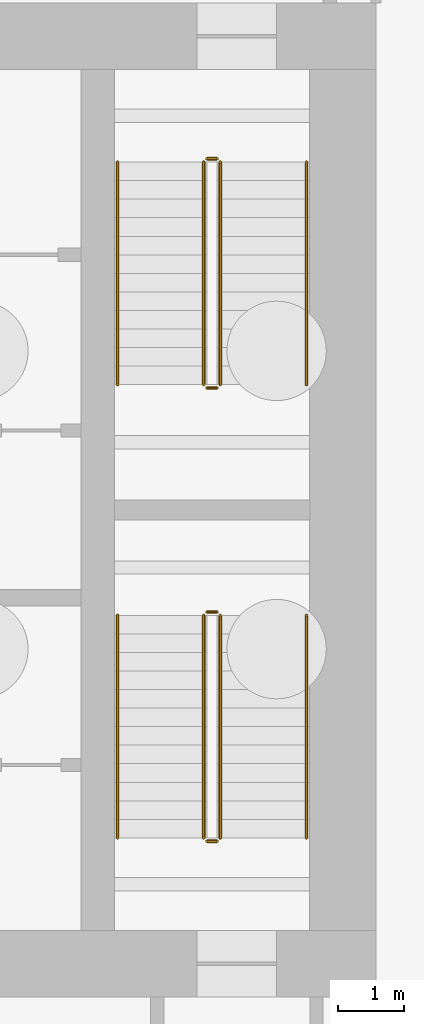
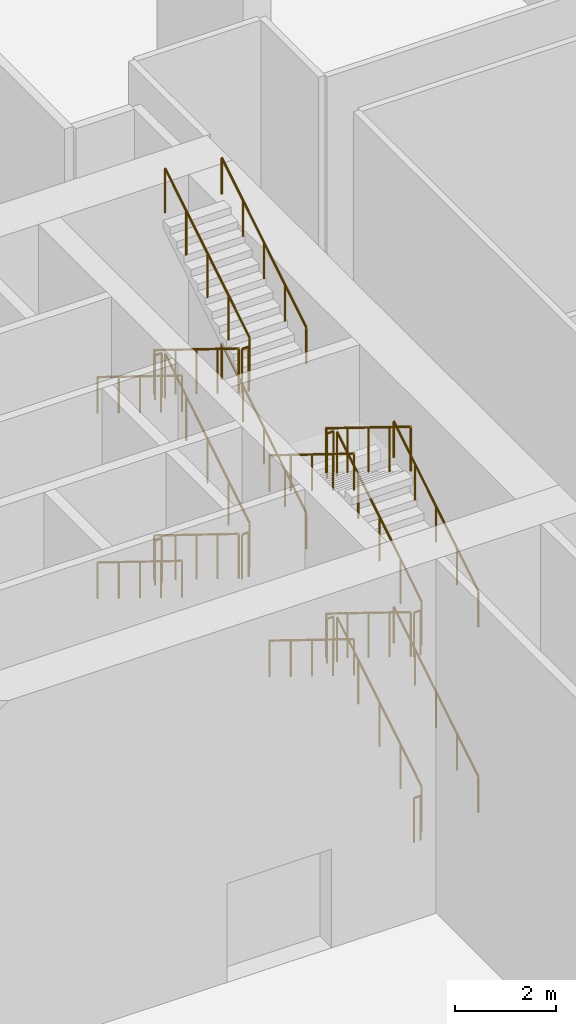
# One storey, part 26 of 32: 24 railings.
"""IFC4 building model written with IfcOpenShell, lengths in metres."""

from ifc_helpers import new_model, si_unit, direction, frame, origin, origin_2d, place, context, subcontext, project, spatial, circle, extrude, material, type_object, element, save


model = new_model("IFC4")

# Units and contexts
model_context = context("Model", 3, precision=1e-05, world=origin(), true_north=direction((0.0, 1.0)))
body_context = subcontext(model_context, "Body", "Model", "MODEL_VIEW")
ifc_project = project(units=[si_unit("LENGTHUNIT", "METRE"), si_unit("AREAUNIT", "SQUARE_METRE"), si_unit("VOLUMEUNIT", "CUBIC_METRE"), si_unit("PLANEANGLEUNIT", "RADIAN"), si_unit("MASSUNIT", "GRAM", prefix="KILO")], contexts=[model_context])

# Site, building, storey
site_placement = place(None, origin())
site = spatial("IfcSite", under=ifc_project, at=site_placement, CompositionType="ELEMENT")
building_placement = place(site_placement, origin())
building = spatial("IfcBuilding", under=site, at=building_placement, Name="Isthmus Gate Tower", CompositionType="ELEMENT")
storey_placement = place(building_placement, origin())
storey = spatial("IfcBuildingStorey", under=building, at=storey_placement, Name="L00", CompositionType="ELEMENT", Elevation=0.0)

# Railings
ifc_material_1 = material(Name="Stainless steel balustrade", Category="steel")
railing_type_1 = type_object("IfcRailingType", Name="STAIR GUARD 1100", PredefinedType="GUARDRAIL", material=ifc_material_1)
railing_1_placement = place(storey_placement, frame((12.39990234375, 12.60009765625, 0.173095703125)))
element("IfcRailing", 1, at=railing_1_placement, inside=storey, type_object=railing_type_1, Name="L00 ST2 stair guard 1", PredefinedType="GUARDRAIL", context=body_context, shape_type="SweptSolid", body=[
    extrude(circle(Radius=0.02392578125, at=origin_2d()), frame((0.0, 0.0, 1.076171875), z_axis=(0.0, -0.850623216509, 0.525775754039), x_axis=(1.0, 0.0, 0.0)), (0.0, 0.0, 1.0), 3.9501953125),
    extrude(circle(Radius=0.02099609375, at=origin_2d()), origin(), (0.0, 0.0, 1.0), 1.052001953125),
    extrude(circle(Radius=0.02099609375, at=origin_2d()), frame((0.0, -0.840087890625, 0.519287109375)), (0.0, 0.0, 1.0), 1.052001953125),
    extrude(circle(Radius=0.02099609375, at=origin_2d()), frame((0.0, -1.68017578125, 1.03857421875)), (0.0, 0.0, 1.0), 1.052001953125),
    extrude(circle(Radius=0.02099609375, at=origin_2d()), frame((0.0, -2.52001953125, 1.5576171875)), (0.0, 0.0, 1.0), 1.052001953125),
    extrude(circle(Radius=0.02099609375, at=origin_2d()), frame((0.0, -3.360107421875, 2.076904296875)), (0.0, 0.0, 1.0), 1.052001953125),
])
railing_2_placement = place(storey_placement, frame((12.449951171875, 9.18994140625, 2.25)))
element("IfcRailing", 2, at=railing_2_placement, inside=storey, type_object=railing_type_1, Name="L00 ST2 stair guard 2", PredefinedType="GUARDRAIL", context=body_context, shape_type="SweptSolid", body=[
    extrude(circle(Radius=0.02392578125, at=origin_2d()), frame((0.0, 0.0, 1.076171875), z_axis=(1.0, 0.0, 0.0), x_axis=(0.0, 1.0, 0.0)), (0.0, 0.0, 1.0), 0.150146484375),
    extrude(circle(Radius=0.02099609375, at=origin_2d()), origin(), (0.0, 0.0, 1.0), 1.052001953125),
    extrude(circle(Radius=0.02099609375, at=origin_2d()), frame((0.150146484375, 0.0, 0.0)), (0.0, 0.0, 1.0), 1.052001953125),
])
railing_3_placement = place(storey_placement, frame((12.64990234375, 9.239990234375, 2.423095703125)))
element("IfcRailing", 3, at=railing_3_placement, inside=storey, type_object=railing_type_1, Name="L00 ST2 stair guard 3", PredefinedType="GUARDRAIL", context=body_context, shape_type="SweptSolid", body=[
    extrude(circle(Radius=0.02392578125, at=origin_2d()), frame((0.0, 0.0, 1.076171875), z_axis=(0.0, 0.850623216509, 0.525775754039), x_axis=(-1.0, 0.0, 0.0)), (0.0, 0.0, 1.0), 3.9501953125),
    extrude(circle(Radius=0.02099609375, at=origin_2d()), origin(), (0.0, 0.0, 1.0), 1.052001953125),
    extrude(circle(Radius=0.02099609375, at=origin_2d()), frame((0.0, 0.840087890625, 0.519287109375)), (0.0, 0.0, 1.0), 1.052001953125),
    extrude(circle(Radius=0.02099609375, at=origin_2d()), frame((0.0, 1.68017578125, 1.03857421875)), (0.0, 0.0, 1.0), 1.052001953125),
    extrude(circle(Radius=0.02099609375, at=origin_2d()), frame((0.0, 2.52001953125, 1.5576171875)), (0.0, 0.0, 1.0), 1.052001953125),
    extrude(circle(Radius=0.02099609375, at=origin_2d()), frame((0.0, 3.360107421875, 2.076904296875)), (0.0, 0.0, 1.0), 1.052001953125),
])
railing_4_placement = place(storey_placement, frame((12.449951171875, 12.64990234375, 4.5)))
element("IfcRailing", 4, at=railing_4_placement, inside=storey, type_object=railing_type_1, Name="L00 ST2 stair guard 4", PredefinedType="GUARDRAIL", context=body_context, shape_type="SweptSolid", body=[
    extrude(circle(Radius=0.02392578125, at=origin_2d()), frame((0.0, 0.0, 1.076171875), z_axis=(1.0, 0.0, 0.0), x_axis=(0.0, 1.0, 0.0)), (0.0, 0.0, 1.0), 0.150146484375),
    extrude(circle(Radius=0.02099609375, at=origin_2d()), origin(), (0.0, 0.0, 1.0), 1.052001953125),
    extrude(circle(Radius=0.02099609375, at=origin_2d()), frame((0.150146484375, 0.0, 0.0)), (0.0, 0.0, 1.0), 1.052001953125),
])
railing_5_placement = place(storey_placement, frame((12.39990234375, 12.60009765625, 4.673095703125)))
element("IfcRailing", 5, at=railing_5_placement, inside=storey, type_object=railing_type_1, Name="L00 ST2 stair guard 5", PredefinedType="GUARDRAIL", context=body_context, shape_type="SweptSolid", body=[
    extrude(circle(Radius=0.02392578125, at=origin_2d()), frame((0.0, 0.0, 1.076171875), z_axis=(0.0, -0.850623216509, 0.525775754039), x_axis=(1.0, 0.0, 0.0)), (0.0, 0.0, 1.0), 3.9501953125),
    extrude(circle(Radius=0.02099609375, at=origin_2d()), origin(), (0.0, 0.0, 1.0), 1.052001953125),
    extrude(circle(Radius=0.02099609375, at=origin_2d()), frame((0.0, -0.840087890625, 0.519287109375)), (0.0, 0.0, 1.0), 1.052001953125),
    extrude(circle(Radius=0.02099609375, at=origin_2d()), frame((0.0, -1.68017578125, 1.03857421875)), (0.0, 0.0, 1.0), 1.052001953125),
    extrude(circle(Radius=0.02099609375, at=origin_2d()), frame((0.0, -2.52001953125, 1.5576171875)), (0.0, 0.0, 1.0), 1.052001953125),
    extrude(circle(Radius=0.02099609375, at=origin_2d()), frame((0.0, -3.360107421875, 2.076904296875)), (0.0, 0.0, 1.0), 1.052001953125),
])
railing_6_placement = place(storey_placement, frame((12.449951171875, 9.18994140625, 6.75)))
element("IfcRailing", 6, at=railing_6_placement, inside=storey, type_object=railing_type_1, Name="L00 ST2 stair guard 6", PredefinedType="GUARDRAIL", context=body_context, shape_type="SweptSolid", body=[
    extrude(circle(Radius=0.02392578125, at=origin_2d()), frame((0.0, 0.0, 1.076171875), z_axis=(1.0, 0.0, 0.0), x_axis=(0.0, 1.0, 0.0)), (0.0, 0.0, 1.0), 0.150146484375),
    extrude(circle(Radius=0.02099609375, at=origin_2d()), origin(), (0.0, 0.0, 1.0), 1.052001953125),
    extrude(circle(Radius=0.02099609375, at=origin_2d()), frame((0.150146484375, 0.0, 0.0)), (0.0, 0.0, 1.0), 1.052001953125),
])
railing_7_placement = place(storey_placement, frame((12.64990234375, 9.239990234375, 6.923095703125)))
element("IfcRailing", 7, at=railing_7_placement, inside=storey, type_object=railing_type_1, Name="L00 ST2 stair guard 7", PredefinedType="GUARDRAIL", context=body_context, shape_type="SweptSolid", body=[
    extrude(circle(Radius=0.02392578125, at=origin_2d()), frame((0.0, 0.0, 1.076171875), z_axis=(0.0, 0.850623216509, 0.525775754039), x_axis=(-1.0, 0.0, 0.0)), (0.0, 0.0, 1.0), 3.9501953125),
    extrude(circle(Radius=0.02099609375, at=origin_2d()), origin(), (0.0, 0.0, 1.0), 1.052001953125),
    extrude(circle(Radius=0.02099609375, at=origin_2d()), frame((0.0, 0.840087890625, 0.519287109375)), (0.0, 0.0, 1.0), 1.052001953125),
    extrude(circle(Radius=0.02099609375, at=origin_2d()), frame((0.0, 1.68017578125, 1.03857421875)), (0.0, 0.0, 1.0), 1.052001953125),
    extrude(circle(Radius=0.02099609375, at=origin_2d()), frame((0.0, 2.52001953125, 1.5576171875)), (0.0, 0.0, 1.0), 1.052001953125),
    extrude(circle(Radius=0.02099609375, at=origin_2d()), frame((0.0, 3.360107421875, 2.076904296875)), (0.0, 0.0, 1.0), 1.052001953125),
])
railing_8_placement = place(storey_placement, frame((12.449951171875, 12.64990234375, 0.0)))
element("IfcRailing", 8, at=railing_8_placement, inside=storey, type_object=railing_type_1, Name="L00 ST2 stair guard 8", PredefinedType="GUARDRAIL", context=body_context, shape_type="SweptSolid", body=[
    extrude(circle(Radius=0.02392578125, at=origin_2d()), frame((0.0, 0.0, 1.076171875), z_axis=(1.0, 0.0, 0.0), x_axis=(0.0, 1.0, 0.0)), (0.0, 0.0, 1.0), 0.150146484375),
    extrude(circle(Radius=0.02099609375, at=origin_2d()), origin(), (0.0, 0.0, 1.0), 1.052001953125),
    extrude(circle(Radius=0.02099609375, at=origin_2d()), frame((0.150146484375, 0.0, 0.0)), (0.0, 0.0, 1.0), 1.052001953125),
])
railing_9_placement = place(storey_placement, frame((12.64990234375, 2.39990234375, 0.173095703125)))
element("IfcRailing", 9, at=railing_9_placement, inside=storey, type_object=railing_type_1, Name="L00 ST8 stair guard 1", PredefinedType="GUARDRAIL", context=body_context, shape_type="SweptSolid", body=[
    extrude(circle(Radius=0.02392578125, at=origin_2d()), frame((0.0, 0.0, 1.076171875), z_axis=(0.0, 0.850623216509, 0.525775754039), x_axis=(-1.0, 0.0, 0.0)), (0.0, 0.0, 1.0), 3.9501953125),
    extrude(circle(Radius=0.02099609375, at=origin_2d()), origin(), (0.0, 0.0, 1.0), 1.052001953125),
    extrude(circle(Radius=0.02099609375, at=origin_2d()), frame((0.0, 0.840087890625, 0.519287109375)), (0.0, 0.0, 1.0), 1.052001953125),
    extrude(circle(Radius=0.02099609375, at=origin_2d()), frame((0.0, 1.68017578125, 1.03857421875)), (0.0, 0.0, 1.0), 1.052001953125),
    extrude(circle(Radius=0.02099609375, at=origin_2d()), frame((0.0, 2.52001953125, 1.5576171875)), (0.0, 0.0, 1.0), 1.052001953125),
    extrude(circle(Radius=0.02099609375, at=origin_2d()), frame((0.0, 3.360107421875, 2.076904296875)), (0.0, 0.0, 1.0), 1.052001953125),
])
railing_10_placement = place(storey_placement, frame((12.60009765625, 5.81005859375, 2.25)))
element("IfcRailing", 10, at=railing_10_placement, inside=storey, type_object=railing_type_1, Name="L00 ST8 stair guard 2", PredefinedType="GUARDRAIL", context=body_context, shape_type="SweptSolid", body=[
    extrude(circle(Radius=0.02392578125, at=origin_2d()), frame((0.0, 0.0, 1.076171875), z_axis=(-1.0, 0.0, 0.0), x_axis=(0.0, -1.0, 0.0)), (0.0, 0.0, 1.0), 0.150146484375),
    extrude(circle(Radius=0.02099609375, at=origin_2d()), origin(), (0.0, 0.0, 1.0), 1.052001953125),
    extrude(circle(Radius=0.02099609375, at=origin_2d()), frame((-0.150146484375, 0.0, 0.0)), (0.0, 0.0, 1.0), 1.052001953125),
])
railing_11_placement = place(storey_placement, frame((12.39990234375, 5.760009765625, 2.423095703125)))
element("IfcRailing", 11, at=railing_11_placement, inside=storey, type_object=railing_type_1, Name="L00 ST8 stair guard 3", PredefinedType="GUARDRAIL", context=body_context, shape_type="SweptSolid", body=[
    extrude(circle(Radius=0.02392578125, at=origin_2d()), frame((0.0, 0.0, 1.076171875), z_axis=(0.0, -0.850623216509, 0.525775754039), x_axis=(1.0, 0.0, 0.0)), (0.0, 0.0, 1.0), 3.9501953125),
    extrude(circle(Radius=0.02099609375, at=origin_2d()), origin(), (0.0, 0.0, 1.0), 1.052001953125),
    extrude(circle(Radius=0.02099609375, at=origin_2d()), frame((0.0, -0.840087890625, 0.519287109375)), (0.0, 0.0, 1.0), 1.052001953125),
    extrude(circle(Radius=0.02099609375, at=origin_2d()), frame((0.0, -1.68017578125, 1.03857421875)), (0.0, 0.0, 1.0), 1.052001953125),
    extrude(circle(Radius=0.02099609375, at=origin_2d()), frame((0.0, -2.52001953125, 1.5576171875)), (0.0, 0.0, 1.0), 1.052001953125),
    extrude(circle(Radius=0.02099609375, at=origin_2d()), frame((0.0, -3.360107421875, 2.076904296875)), (0.0, 0.0, 1.0), 1.052001953125),
])
railing_12_placement = place(storey_placement, frame((12.60009765625, 2.35009765625, 4.5)))
element("IfcRailing", 12, at=railing_12_placement, inside=storey, type_object=railing_type_1, Name="L00 ST8 stair guard 4", PredefinedType="GUARDRAIL", context=body_context, shape_type="SweptSolid", body=[
    extrude(circle(Radius=0.02392578125, at=origin_2d()), frame((0.0, 0.0, 1.076171875), z_axis=(-1.0, 0.0, 0.0), x_axis=(0.0, -1.0, 0.0)), (0.0, 0.0, 1.0), 0.150146484375),
    extrude(circle(Radius=0.02099609375, at=origin_2d()), origin(), (0.0, 0.0, 1.0), 1.052001953125),
    extrude(circle(Radius=0.02099609375, at=origin_2d()), frame((-0.150146484375, 0.0, 0.0)), (0.0, 0.0, 1.0), 1.052001953125),
])
railing_13_placement = place(storey_placement, frame((12.64990234375, 2.39990234375, 4.673095703125)))
element("IfcRailing", 13, at=railing_13_placement, inside=storey, type_object=railing_type_1, Name="L00 ST8 stair guard 5", PredefinedType="GUARDRAIL", context=body_context, shape_type="SweptSolid", body=[
    extrude(circle(Radius=0.02392578125, at=origin_2d()), frame((0.0, 0.0, 1.076171875), z_axis=(0.0, 0.850623216509, 0.525775754039), x_axis=(-1.0, 0.0, 0.0)), (0.0, 0.0, 1.0), 3.9501953125),
    extrude(circle(Radius=0.02099609375, at=origin_2d()), origin(), (0.0, 0.0, 1.0), 1.052001953125),
    extrude(circle(Radius=0.02099609375, at=origin_2d()), frame((0.0, 0.840087890625, 0.519287109375)), (0.0, 0.0, 1.0), 1.052001953125),
    extrude(circle(Radius=0.02099609375, at=origin_2d()), frame((0.0, 1.68017578125, 1.03857421875)), (0.0, 0.0, 1.0), 1.052001953125),
    extrude(circle(Radius=0.02099609375, at=origin_2d()), frame((0.0, 2.52001953125, 1.5576171875)), (0.0, 0.0, 1.0), 1.052001953125),
    extrude(circle(Radius=0.02099609375, at=origin_2d()), frame((0.0, 3.360107421875, 2.076904296875)), (0.0, 0.0, 1.0), 1.052001953125),
])
railing_14_placement = place(storey_placement, frame((12.60009765625, 5.81005859375, 6.75)))
element("IfcRailing", 14, at=railing_14_placement, inside=storey, type_object=railing_type_1, Name="L00 ST8 stair guard 6", PredefinedType="GUARDRAIL", context=body_context, shape_type="SweptSolid", body=[
    extrude(circle(Radius=0.02392578125, at=origin_2d()), frame((0.0, 0.0, 1.076171875), z_axis=(-1.0, 0.0, 0.0), x_axis=(0.0, -1.0, 0.0)), (0.0, 0.0, 1.0), 0.150146484375),
    extrude(circle(Radius=0.02099609375, at=origin_2d()), origin(), (0.0, 0.0, 1.0), 1.052001953125),
    extrude(circle(Radius=0.02099609375, at=origin_2d()), frame((-0.150146484375, 0.0, 0.0)), (0.0, 0.0, 1.0), 1.052001953125),
])
railing_15_placement = place(storey_placement, frame((12.39990234375, 5.760009765625, 6.923095703125)))
element("IfcRailing", 15, at=railing_15_placement, inside=storey, type_object=railing_type_1, Name="L00 ST8 stair guard 7", PredefinedType="GUARDRAIL", context=body_context, shape_type="SweptSolid", body=[
    extrude(circle(Radius=0.02392578125, at=origin_2d()), frame((0.0, 0.0, 1.076171875), z_axis=(0.0, -0.850623216509, 0.525775754039), x_axis=(1.0, 0.0, 0.0)), (0.0, 0.0, 1.0), 3.9501953125),
    extrude(circle(Radius=0.02099609375, at=origin_2d()), origin(), (0.0, 0.0, 1.0), 1.052001953125),
    extrude(circle(Radius=0.02099609375, at=origin_2d()), frame((0.0, -0.840087890625, 0.519287109375)), (0.0, 0.0, 1.0), 1.052001953125),
    extrude(circle(Radius=0.02099609375, at=origin_2d()), frame((0.0, -1.68017578125, 1.03857421875)), (0.0, 0.0, 1.0), 1.052001953125),
    extrude(circle(Radius=0.02099609375, at=origin_2d()), frame((0.0, -2.52001953125, 1.5576171875)), (0.0, 0.0, 1.0), 1.052001953125),
    extrude(circle(Radius=0.02099609375, at=origin_2d()), frame((0.0, -3.360107421875, 2.076904296875)), (0.0, 0.0, 1.0), 1.052001953125),
])
railing_16_placement = place(storey_placement, frame((12.60009765625, 2.35009765625, 0.0)))
element("IfcRailing", 16, at=railing_16_placement, inside=storey, type_object=railing_type_1, Name="L00 ST8 stair guard 8", PredefinedType="GUARDRAIL", context=body_context, shape_type="SweptSolid", body=[
    extrude(circle(Radius=0.02392578125, at=origin_2d()), frame((0.0, 0.0, 1.076171875), z_axis=(-1.0, 0.0, 0.0), x_axis=(0.0, -1.0, 0.0)), (0.0, 0.0, 1.0), 0.150146484375),
    extrude(circle(Radius=0.02099609375, at=origin_2d()), origin(), (0.0, 0.0, 1.0), 1.052001953125),
    extrude(circle(Radius=0.02099609375, at=origin_2d()), frame((-0.150146484375, 0.0, 0.0)), (0.0, 0.0, 1.0), 1.052001953125),
])
ifc_material_2 = material(Name="Stainless steel handrail", Category="steel")
railing_type_2 = type_object("IfcRailingType", Name="STAIR HANDRAIL 900", PredefinedType="HANDRAIL", material=ifc_material_2)
railing_17_placement = place(storey_placement, frame((11.10009765625, 12.60009765625, 0.173095703125)))
element("IfcRailing", 17, at=railing_17_placement, inside=storey, type_object=railing_type_2, Name="L00 ST2 stair handrail 1", PredefinedType="HANDRAIL", context=body_context, shape_type="SweptSolid", body=[
    extrude(circle(Radius=0.02392578125, at=origin_2d()), frame((0.0, 0.0, 0.8759765625), z_axis=(0.0, -0.850623216509, 0.525775754039), x_axis=(1.0, 0.0, 0.0)), (0.0, 0.0, 1.0), 3.9501953125),
    extrude(circle(Radius=0.02099609375, at=origin_2d()), origin(), (0.0, 0.0, 1.0), 0.851806640625),
    extrude(circle(Radius=0.02099609375, at=origin_2d()), frame((0.0, -0.840087890625, 0.519287109375)), (0.0, 0.0, 1.0), 0.851806640625),
    extrude(circle(Radius=0.02099609375, at=origin_2d()), frame((0.0, -1.68017578125, 1.03857421875)), (0.0, 0.0, 1.0), 0.851806640625),
    extrude(circle(Radius=0.02099609375, at=origin_2d()), frame((0.0, -2.52001953125, 1.5576171875)), (0.0, 0.0, 1.0), 0.851806640625),
    extrude(circle(Radius=0.02099609375, at=origin_2d()), frame((0.0, -3.360107421875, 2.076904296875)), (0.0, 0.0, 1.0), 0.851806640625),
])
railing_18_placement = place(storey_placement, frame((13.949951171875, 9.239990234375, 2.423095703125)))
element("IfcRailing", 18, at=railing_18_placement, inside=storey, type_object=railing_type_2, Name="L00 ST2 stair handrail 2", PredefinedType="HANDRAIL", context=body_context, shape_type="SweptSolid", body=[
    extrude(circle(Radius=0.02392578125, at=origin_2d()), frame((0.0, 0.0, 0.8759765625), z_axis=(0.0, 0.850623216509, 0.525775754039), x_axis=(-1.0, 0.0, 0.0)), (0.0, 0.0, 1.0), 3.9501953125),
    extrude(circle(Radius=0.02099609375, at=origin_2d()), origin(), (0.0, 0.0, 1.0), 0.851806640625),
    extrude(circle(Radius=0.02099609375, at=origin_2d()), frame((0.0, 0.840087890625, 0.519287109375)), (0.0, 0.0, 1.0), 0.851806640625),
    extrude(circle(Radius=0.02099609375, at=origin_2d()), frame((0.0, 1.68017578125, 1.03857421875)), (0.0, 0.0, 1.0), 0.851806640625),
    extrude(circle(Radius=0.02099609375, at=origin_2d()), frame((0.0, 2.52001953125, 1.5576171875)), (0.0, 0.0, 1.0), 0.851806640625),
    extrude(circle(Radius=0.02099609375, at=origin_2d()), frame((0.0, 3.360107421875, 2.076904296875)), (0.0, 0.0, 1.0), 0.851806640625),
])
railing_19_placement = place(storey_placement, frame((11.10009765625, 12.60009765625, 4.673095703125)))
element("IfcRailing", 19, at=railing_19_placement, inside=storey, type_object=railing_type_2, Name="L00 ST2 stair handrail 3", PredefinedType="HANDRAIL", context=body_context, shape_type="SweptSolid", body=[
    extrude(circle(Radius=0.02392578125, at=origin_2d()), frame((0.0, 0.0, 0.8759765625), z_axis=(0.0, -0.850623216509, 0.525775754039), x_axis=(1.0, 0.0, 0.0)), (0.0, 0.0, 1.0), 3.9501953125),
    extrude(circle(Radius=0.02099609375, at=origin_2d()), origin(), (0.0, 0.0, 1.0), 0.851806640625),
    extrude(circle(Radius=0.02099609375, at=origin_2d()), frame((0.0, -0.840087890625, 0.519287109375)), (0.0, 0.0, 1.0), 0.851806640625),
    extrude(circle(Radius=0.02099609375, at=origin_2d()), frame((0.0, -1.68017578125, 1.03857421875)), (0.0, 0.0, 1.0), 0.851806640625),
    extrude(circle(Radius=0.02099609375, at=origin_2d()), frame((0.0, -2.52001953125, 1.5576171875)), (0.0, 0.0, 1.0), 0.851806640625),
    extrude(circle(Radius=0.02099609375, at=origin_2d()), frame((0.0, -3.360107421875, 2.076904296875)), (0.0, 0.0, 1.0), 0.851806640625),
])
for number, where, name in (
    (20, (13.949951171875, 9.239990234375, 6.923095703125), "L00 ST2 stair handrail 4"),
    (21, (13.949951171875, 2.39990234375, 0.173095703125), "L00 ST8 stair handrail 1"),
):
    element("IfcRailing", number, at=place(storey_placement, frame(where)), inside=storey, type_object=railing_type_2, Name=name, PredefinedType="HANDRAIL", context=body_context, shape_type="SweptSolid", body=[
        extrude(circle(Radius=0.02392578125, at=origin_2d()), frame((0.0, 0.0, 0.8759765625), z_axis=(0.0, 0.850623216509, 0.525775754039), x_axis=(-1.0, 0.0, 0.0)), (0.0, 0.0, 1.0), 3.9501953125),
        extrude(circle(Radius=0.02099609375, at=origin_2d()), origin(), (0.0, 0.0, 1.0), 0.851806640625),
        extrude(circle(Radius=0.02099609375, at=origin_2d()), frame((0.0, 0.840087890625, 0.519287109375)), (0.0, 0.0, 1.0), 0.851806640625),
        extrude(circle(Radius=0.02099609375, at=origin_2d()), frame((0.0, 1.68017578125, 1.03857421875)), (0.0, 0.0, 1.0), 0.851806640625),
        extrude(circle(Radius=0.02099609375, at=origin_2d()), frame((0.0, 2.52001953125, 1.5576171875)), (0.0, 0.0, 1.0), 0.851806640625),
        extrude(circle(Radius=0.02099609375, at=origin_2d()), frame((0.0, 3.360107421875, 2.076904296875)), (0.0, 0.0, 1.0), 0.851806640625),
    ])
railing_20_placement = place(storey_placement, frame((11.10009765625, 5.760009765625, 2.423095703125)))
element("IfcRailing", 22, at=railing_20_placement, inside=storey, type_object=railing_type_2, Name="L00 ST8 stair handrail 2", PredefinedType="HANDRAIL", context=body_context, shape_type="SweptSolid", body=[
    extrude(circle(Radius=0.02392578125, at=origin_2d()), frame((0.0, 0.0, 0.8759765625), z_axis=(0.0, -0.850623216509, 0.525775754039), x_axis=(1.0, 0.0, 0.0)), (0.0, 0.0, 1.0), 3.9501953125),
    extrude(circle(Radius=0.02099609375, at=origin_2d()), origin(), (0.0, 0.0, 1.0), 0.851806640625),
    extrude(circle(Radius=0.02099609375, at=origin_2d()), frame((0.0, -0.840087890625, 0.519287109375)), (0.0, 0.0, 1.0), 0.851806640625),
    extrude(circle(Radius=0.02099609375, at=origin_2d()), frame((0.0, -1.68017578125, 1.03857421875)), (0.0, 0.0, 1.0), 0.851806640625),
    extrude(circle(Radius=0.02099609375, at=origin_2d()), frame((0.0, -2.52001953125, 1.5576171875)), (0.0, 0.0, 1.0), 0.851806640625),
    extrude(circle(Radius=0.02099609375, at=origin_2d()), frame((0.0, -3.360107421875, 2.076904296875)), (0.0, 0.0, 1.0), 0.851806640625),
])
railing_21_placement = place(storey_placement, frame((13.949951171875, 2.39990234375, 4.673095703125)))
element("IfcRailing", 23, at=railing_21_placement, inside=storey, type_object=railing_type_2, Name="L00 ST8 stair handrail 3", PredefinedType="HANDRAIL", context=body_context, shape_type="SweptSolid", body=[
    extrude(circle(Radius=0.02392578125, at=origin_2d()), frame((0.0, 0.0, 0.8759765625), z_axis=(0.0, 0.850623216509, 0.525775754039), x_axis=(-1.0, 0.0, 0.0)), (0.0, 0.0, 1.0), 3.9501953125),
    extrude(circle(Radius=0.02099609375, at=origin_2d()), origin(), (0.0, 0.0, 1.0), 0.851806640625),
    extrude(circle(Radius=0.02099609375, at=origin_2d()), frame((0.0, 0.840087890625, 0.519287109375)), (0.0, 0.0, 1.0), 0.851806640625),
    extrude(circle(Radius=0.02099609375, at=origin_2d()), frame((0.0, 1.68017578125, 1.03857421875)), (0.0, 0.0, 1.0), 0.851806640625),
    extrude(circle(Radius=0.02099609375, at=origin_2d()), frame((0.0, 2.52001953125, 1.5576171875)), (0.0, 0.0, 1.0), 0.851806640625),
    extrude(circle(Radius=0.02099609375, at=origin_2d()), frame((0.0, 3.360107421875, 2.076904296875)), (0.0, 0.0, 1.0), 0.851806640625),
])
railing_22_placement = place(storey_placement, frame((11.10009765625, 5.760009765625, 6.923095703125)))
element("IfcRailing", 24, at=railing_22_placement, inside=storey, type_object=railing_type_2, Name="L00 ST8 stair handrail 4", PredefinedType="HANDRAIL", context=body_context, shape_type="SweptSolid", body=[
    extrude(circle(Radius=0.02392578125, at=origin_2d()), frame((0.0, 0.0, 0.8759765625), z_axis=(0.0, -0.850623216509, 0.525775754039), x_axis=(1.0, 0.0, 0.0)), (0.0, 0.0, 1.0), 3.9501953125),
    extrude(circle(Radius=0.02099609375, at=origin_2d()), origin(), (0.0, 0.0, 1.0), 0.851806640625),
    extrude(circle(Radius=0.02099609375, at=origin_2d()), frame((0.0, -0.840087890625, 0.519287109375)), (0.0, 0.0, 1.0), 0.851806640625),
    extrude(circle(Radius=0.02099609375, at=origin_2d()), frame((0.0, -1.68017578125, 1.03857421875)), (0.0, 0.0, 1.0), 0.851806640625),
    extrude(circle(Radius=0.02099609375, at=origin_2d()), frame((0.0, -2.52001953125, 1.5576171875)), (0.0, 0.0, 1.0), 0.851806640625),
    extrude(circle(Radius=0.02099609375, at=origin_2d()), frame((0.0, -3.360107421875, 2.076904296875)), (0.0, 0.0, 1.0), 0.851806640625),
])

save(model, "model.ifc")
